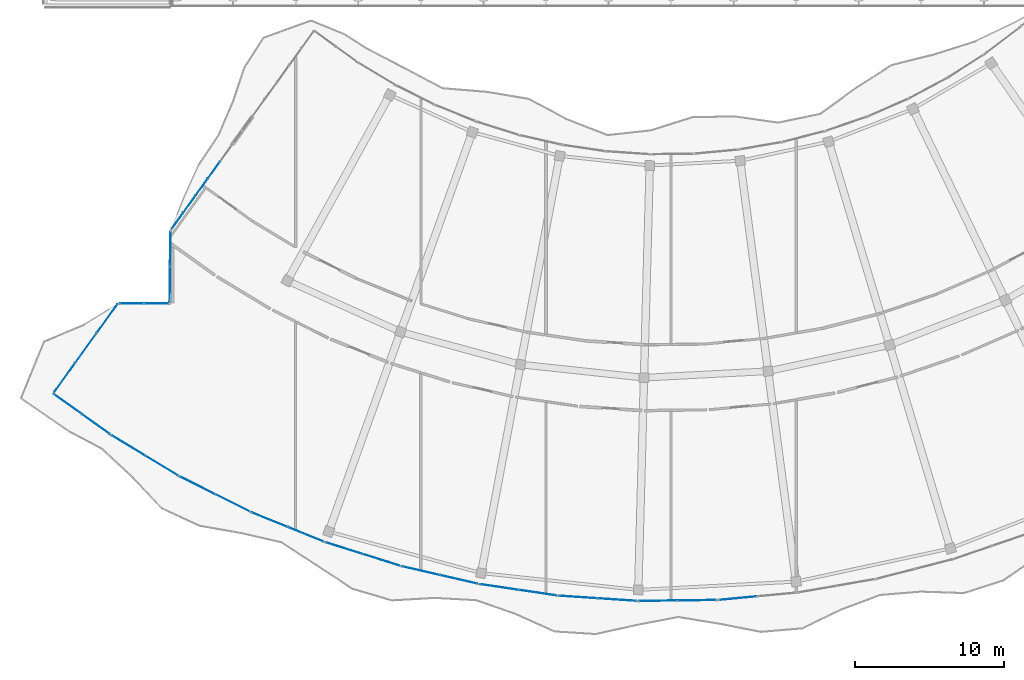
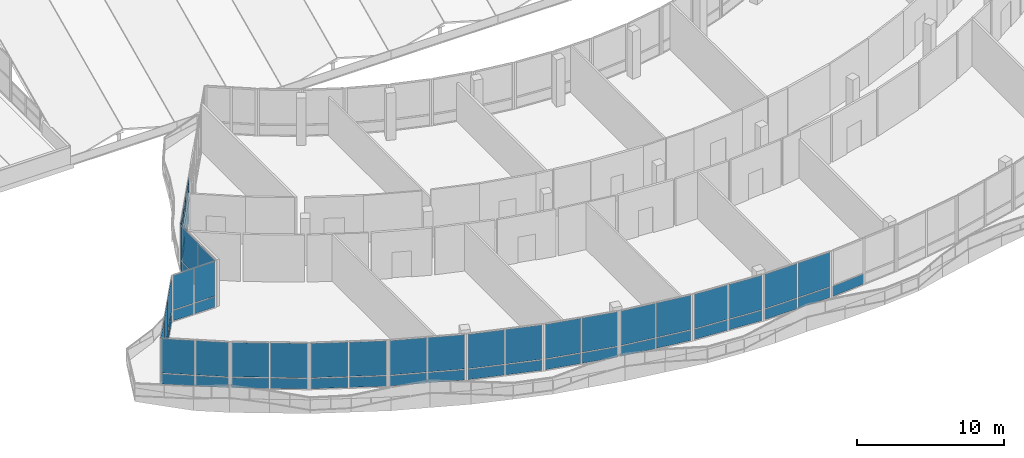
# One storey, part 142 of 184: 63 plates, 14 elements without a shape of their own.
"""IFC4 building model written with IfcOpenShell, lengths in metres."""

from ifc_helpers import new_model, si_unit, direction, frame, origin, origin_2d, place, context, subcontext, project, spatial, rectangle, extrude, material, layer, layer_set, type_object, element, aggregate, save


model = new_model("IFC4")

# Units and contexts
model_context = context("Model", 3, precision=1e-05, world=origin(), true_north=direction((0.0, 1.0)))
body_context = subcontext(model_context, "Body", "Model", "MODEL_VIEW")
ifc_project = project(units=[si_unit("LENGTHUNIT", "METRE"), si_unit("AREAUNIT", "SQUARE_METRE"), si_unit("VOLUMEUNIT", "CUBIC_METRE"), si_unit("PLANEANGLEUNIT", "RADIAN"), si_unit("MASSUNIT", "GRAM", prefix="KILO")], contexts=[model_context])

# Site, building, storey
site_placement = place(None, origin())
site = spatial("IfcSite", under=ifc_project, at=site_placement, CompositionType="ELEMENT")
building_placement = place(site_placement, origin())
building = spatial("IfcBuilding", under=site, at=building_placement, Name="Selatvlak General Hospital", CompositionType="ELEMENT")
storey_placement = place(building_placement, frame((0.0, 0.0, 15.0)))
storey = spatial("IfcBuildingStorey", under=building, at=storey_placement, Name="L03", CompositionType="ELEMENT", Elevation=15.0)

# Curtain wall, plate
ifc_material = material(Name="Solar-control Low-E double glazing", Category="glass")
curtain_wall_type_1 = type_object("IfcCurtainWallType", Name="CW-CW-02", PredefinedType="USERDEFINED", material=ifc_material)
curtain_wall_1_placement = place(storey_placement, origin())
curtain_wall_1 = element("IfcCurtainWall", 1, at=curtain_wall_1_placement, inside=storey, type_object=curtain_wall_type_1, Name="Glazed facade curtain wall CW-L03-0426", ObjectType="UNITISED CURTAIN WALL", PredefinedType="USERDEFINED")
ifc_layer = layer(ifc_material, 0.028076171875, Name="Solar-control Low-E double glazing", Category="glass")
ifc_layer_set = layer_set([ifc_layer], Name="Solar-control Low-E double glazing")
plate_type = type_object("IfcPlateType", Name="CWP-01", PredefinedType="CURTAIN_PANEL", material=ifc_layer_set)
plate_1_placement = place(storey_placement, frame((60.891357421875, 12.217529296875, 0.06494140625), z_axis=(0.0, 0.0, 1.0), x_axis=(-0.995731988381, -0.092291967773, 0.0)))
plate_1 = element("IfcPlate", 2, at=plate_1_placement, type_object=plate_type, Name="CW-02 panel 2.1", PredefinedType="CURTAIN_PANEL", context=body_context, shape_type="SweptSolid", body=[
    extrude(rectangle(XDim=2.54638671875, YDim=0.028076171875, at=origin_2d()), origin(), (0.0, 0.0, 1.0), 0.8525390625),
])
aggregate(curtain_wall_1, [plate_1])

# Curtain wall, plates
curtain_wall_type_2 = type_object("IfcCurtainWallType", Name="CW-CW-01", PredefinedType="USERDEFINED", material=ifc_material)
curtain_wall_2_placement = place(storey_placement, origin())
curtain_wall_2 = element("IfcCurtainWall", 3, at=curtain_wall_2_placement, inside=storey, type_object=curtain_wall_type_2, Name="Glazed facade curtain wall CW-L03-0427", ObjectType="UNITISED CURTAIN WALL", PredefinedType="USERDEFINED")
plate_2_placement = place(storey_placement, frame((58.14111328125, 12.074951171875, 0.06494140625), z_axis=(0.0, 0.0, 1.0), x_axis=(-0.999919712362, -0.012671575694, 0.0)))
plate_2 = element("IfcPlate", 4, at=plate_2_placement, type_object=plate_type, Name="CW-01 panel 1.1", PredefinedType="CURTAIN_PANEL", context=body_context, shape_type="SweptSolid", body=[
    extrude(rectangle(XDim=2.546142578125, YDim=0.028076171875, at=origin_2d()), origin(), (0.0, 0.0, 1.0), 0.8525390625),
])
plate_3_placement = place(storey_placement, frame((58.14111328125, 12.074951171875, 0.982421875), z_axis=(0.0, 0.0, 1.0), x_axis=(-0.999919712362, -0.012671575694, 0.0)))
plate_3 = element("IfcPlate", 5, at=plate_3_placement, type_object=plate_type, Name="CW-01 panel 1.2", PredefinedType="CURTAIN_PANEL", context=body_context, shape_type="SweptSolid", body=[
    extrude(rectangle(XDim=2.546142578125, YDim=0.028076171875, at=origin_2d()), origin(), (0.0, 0.0, 1.0), 2.847412109375),
])
plate_4_placement = place(storey_placement, frame((55.530029296875, 12.0419921875, 0.06494140625), z_axis=(0.0, 0.0, 1.0), x_axis=(-0.999919712362, -0.012671575694, 0.0)))
plate_4 = element("IfcPlate", 6, at=plate_4_placement, type_object=plate_type, Name="CW-01 panel 2.1", PredefinedType="CURTAIN_PANEL", context=body_context, shape_type="SweptSolid", body=[
    extrude(rectangle(XDim=2.546142578125, YDim=0.028076171875, at=origin_2d()), origin(), (0.0, 0.0, 1.0), 0.8525390625),
])
plate_5_placement = place(storey_placement, frame((55.530029296875, 12.0419921875, 0.982421875), z_axis=(0.0, 0.0, 1.0), x_axis=(-0.999919712362, -0.012671575694, 0.0)))
plate_5 = element("IfcPlate", 7, at=plate_5_placement, type_object=plate_type, Name="CW-01 panel 2.2", PredefinedType="CURTAIN_PANEL", context=body_context, shape_type="SweptSolid", body=[
    extrude(rectangle(XDim=2.546142578125, YDim=0.028076171875, at=origin_2d()), origin(), (0.0, 0.0, 1.0), 2.847412109375),
])
aggregate(curtain_wall_2, [plate_2, plate_3, plate_4, plate_5])

curtain_wall_3_placement = place(storey_placement, origin())
curtain_wall_3 = element("IfcCurtainWall", 8, at=curtain_wall_3_placement, inside=storey, type_object=curtain_wall_type_1, Name="Glazed facade curtain wall CW-L03-0428", ObjectType="UNITISED CURTAIN WALL", PredefinedType="USERDEFINED")
plate_6_placement = place(storey_placement, frame((52.77734375, 12.118408203125, 0.06494140625), z_axis=(0.0, 0.0, 1.0), x_axis=(-0.997767543774, 0.066782696801, 0.0)))
plate_6 = element("IfcPlate", 9, at=plate_6_placement, type_object=plate_type, Name="CW-02 panel 1.1", PredefinedType="CURTAIN_PANEL", context=body_context, shape_type="SweptSolid", body=[
    extrude(rectangle(XDim=2.54541015625, YDim=0.028076171875, at=origin_2d()), origin(), (0.0, 0.0, 1.0), 0.8525390625),
])
plate_7_placement = place(storey_placement, frame((52.77734375, 12.118408203125, 0.982421875), z_axis=(0.0, 0.0, 1.0), x_axis=(-0.997767543774, 0.066782696801, 0.0)))
plate_7 = element("IfcPlate", 10, at=plate_7_placement, type_object=plate_type, Name="CW-02 panel 1.2", PredefinedType="CURTAIN_PANEL", context=body_context, shape_type="SweptSolid", body=[
    extrude(rectangle(XDim=2.54541015625, YDim=0.028076171875, at=origin_2d()), origin(), (0.0, 0.0, 1.0), 2.847412109375),
])
plate_8_placement = place(storey_placement, frame((50.172607421875, 12.292724609375, 0.06494140625), z_axis=(0.0, 0.0, 1.0), x_axis=(-0.997767543774, 0.066782696801, 0.0)))
plate_8 = element("IfcPlate", 11, at=plate_8_placement, type_object=plate_type, Name="CW-02 panel 2.1", PredefinedType="CURTAIN_PANEL", context=body_context, shape_type="SweptSolid", body=[
    extrude(rectangle(XDim=2.54541015625, YDim=0.028076171875, at=origin_2d()), origin(), (0.0, 0.0, 1.0), 0.8525390625),
])
plate_9_placement = place(storey_placement, frame((50.172607421875, 12.292724609375, 0.982421875), z_axis=(0.0, 0.0, 1.0), x_axis=(-0.997767543774, 0.066782696801, 0.0)))
plate_9 = element("IfcPlate", 12, at=plate_9_placement, type_object=plate_type, Name="CW-02 panel 2.2", PredefinedType="CURTAIN_PANEL", context=body_context, shape_type="SweptSolid", body=[
    extrude(rectangle(XDim=2.54541015625, YDim=0.028076171875, at=origin_2d()), origin(), (0.0, 0.0, 1.0), 2.847412109375),
])
aggregate(curtain_wall_3, [plate_6, plate_7, plate_8, plate_9])

curtain_wall_4_placement = place(storey_placement, origin())
curtain_wall_4 = element("IfcCurtainWall", 13, at=curtain_wall_4_placement, inside=storey, type_object=curtain_wall_type_2, Name="Glazed facade curtain wall CW-L03-0429", ObjectType="UNITISED CURTAIN WALL", PredefinedType="USERDEFINED")
plate_10_placement = place(storey_placement, frame((47.435302734375, 12.587158203125, 0.06494140625), z_axis=(0.0, 0.0, 1.0), x_axis=(-0.989307819732, 0.145842510319, 0.0)))
plate_10 = element("IfcPlate", 14, at=plate_10_placement, type_object=plate_type, Name="CW-01 panel 1.1", PredefinedType="CURTAIN_PANEL", context=body_context, shape_type="SweptSolid", body=[
    extrude(rectangle(XDim=2.545654296875, YDim=0.028076171875, at=origin_2d()), origin(), (0.0, 0.0, 1.0), 0.8525390625),
])
plate_11_placement = place(storey_placement, frame((47.435302734375, 12.587158203125, 0.982421875), z_axis=(0.0, 0.0, 1.0), x_axis=(-0.989307819732, 0.145842510319, 0.0)))
plate_11 = element("IfcPlate", 15, at=plate_11_placement, type_object=plate_type, Name="CW-01 panel 1.2", PredefinedType="CURTAIN_PANEL", context=body_context, shape_type="SweptSolid", body=[
    extrude(rectangle(XDim=2.545654296875, YDim=0.028076171875, at=origin_2d()), origin(), (0.0, 0.0, 1.0), 2.847412109375),
])
plate_12_placement = place(storey_placement, frame((44.8525390625, 12.9677734375, 0.06494140625), z_axis=(0.0, 0.0, 1.0), x_axis=(-0.989307819732, 0.145842510319, 0.0)))
plate_12 = element("IfcPlate", 16, at=plate_12_placement, type_object=plate_type, Name="CW-01 panel 2.1", PredefinedType="CURTAIN_PANEL", context=body_context, shape_type="SweptSolid", body=[
    extrude(rectangle(XDim=2.545654296875, YDim=0.028076171875, at=origin_2d()), origin(), (0.0, 0.0, 1.0), 0.8525390625),
])
plate_13_placement = place(storey_placement, frame((44.8525390625, 12.9677734375, 0.982421875), z_axis=(0.0, 0.0, 1.0), x_axis=(-0.989307819732, 0.145842510319, 0.0)))
plate_13 = element("IfcPlate", 17, at=plate_13_placement, type_object=plate_type, Name="CW-01 panel 2.2", PredefinedType="CURTAIN_PANEL", context=body_context, shape_type="SweptSolid", body=[
    extrude(rectangle(XDim=2.545654296875, YDim=0.028076171875, at=origin_2d()), origin(), (0.0, 0.0, 1.0), 2.847412109375),
])
aggregate(curtain_wall_4, [plate_10, plate_11, plate_12, plate_13])

curtain_wall_5_placement = place(storey_placement, origin())
curtain_wall_5 = element("IfcCurtainWall", 18, at=curtain_wall_5_placement, inside=storey, type_object=curtain_wall_type_1, Name="Glazed facade curtain wall CW-L03-0430", ObjectType="UNITISED CURTAIN WALL", PredefinedType="USERDEFINED")
plate_14_placement = place(storey_placement, frame((42.146240234375, 13.47900390625, 0.06494140625), z_axis=(0.0, 0.0, 1.0), x_axis=(-0.974553533749, 0.224154879176, 0.0)))
plate_14 = element("IfcPlate", 19, at=plate_14_placement, type_object=plate_type, Name="CW-02 panel 1.1", PredefinedType="CURTAIN_PANEL", context=body_context, shape_type="SweptSolid", body=[
    extrude(rectangle(XDim=2.545654296875, YDim=0.028076171875, at=origin_2d()), origin(), (0.0, 0.0, 1.0), 0.8525390625),
])
plate_15_placement = place(storey_placement, frame((42.146240234375, 13.47900390625, 0.982421875), z_axis=(0.0, 0.0, 1.0), x_axis=(-0.974553533749, 0.224154879176, 0.0)))
plate_15 = element("IfcPlate", 20, at=plate_15_placement, type_object=plate_type, Name="CW-02 panel 1.2", PredefinedType="CURTAIN_PANEL", context=body_context, shape_type="SweptSolid", body=[
    extrude(rectangle(XDim=2.545654296875, YDim=0.028076171875, at=origin_2d()), origin(), (0.0, 0.0, 1.0), 2.847412109375),
])
plate_16_placement = place(storey_placement, frame((39.601806640625, 14.064208984375, 0.06494140625), z_axis=(0.0, 0.0, 1.0), x_axis=(-0.974553533749, 0.224154879176, 0.0)))
plate_16 = element("IfcPlate", 21, at=plate_16_placement, type_object=plate_type, Name="CW-02 panel 2.1", PredefinedType="CURTAIN_PANEL", context=body_context, shape_type="SweptSolid", body=[
    extrude(rectangle(XDim=2.545654296875, YDim=0.028076171875, at=origin_2d()), origin(), (0.0, 0.0, 1.0), 0.8525390625),
])
plate_17_placement = place(storey_placement, frame((39.601806640625, 14.064208984375, 0.982421875), z_axis=(0.0, 0.0, 1.0), x_axis=(-0.974553533749, 0.224154879176, 0.0)))
plate_17 = element("IfcPlate", 22, at=plate_17_placement, type_object=plate_type, Name="CW-02 panel 2.2", PredefinedType="CURTAIN_PANEL", context=body_context, shape_type="SweptSolid", body=[
    extrude(rectangle(XDim=2.545654296875, YDim=0.028076171875, at=origin_2d()), origin(), (0.0, 0.0, 1.0), 2.847412109375),
])
aggregate(curtain_wall_5, [plate_14, plate_15, plate_16, plate_17])

curtain_wall_6_placement = place(storey_placement, origin())
curtain_wall_6 = element("IfcCurtainWall", 23, at=curtain_wall_6_placement, inside=storey, type_object=curtain_wall_type_2, Name="Glazed facade curtain wall CW-L03-0431", ObjectType="UNITISED CURTAIN WALL", PredefinedType="USERDEFINED")
plate_18_placement = place(storey_placement, frame((36.9453125, 14.788818359375, 0.06494140625), z_axis=(0.0, 0.0, 1.0), x_axis=(-0.953794036858, 0.30046120424, 0.0)))
plate_18 = element("IfcPlate", 24, at=plate_18_placement, type_object=plate_type, Name="CW-01 panel 1.1", PredefinedType="CURTAIN_PANEL", context=body_context, shape_type="SweptSolid", body=[
    extrude(rectangle(XDim=2.545166015625, YDim=0.028076171875, at=origin_2d()), origin(), (0.0, 0.0, 1.0), 0.8525390625),
])
plate_19_placement = place(storey_placement, frame((36.9453125, 14.788818359375, 0.982421875), z_axis=(0.0, 0.0, 1.0), x_axis=(-0.953794036858, 0.30046120424, 0.0)))
plate_19 = element("IfcPlate", 25, at=plate_19_placement, type_object=plate_type, Name="CW-01 panel 1.2", PredefinedType="CURTAIN_PANEL", context=body_context, shape_type="SweptSolid", body=[
    extrude(rectangle(XDim=2.545166015625, YDim=0.028076171875, at=origin_2d()), origin(), (0.0, 0.0, 1.0), 2.847412109375),
])
plate_20_placement = place(storey_placement, frame((34.455810546875, 15.572998046875, 0.06494140625), z_axis=(0.0, 0.0, 1.0), x_axis=(-0.953794036858, 0.30046120424, 0.0)))
plate_20 = element("IfcPlate", 26, at=plate_20_placement, type_object=plate_type, Name="CW-01 panel 2.1", PredefinedType="CURTAIN_PANEL", context=body_context, shape_type="SweptSolid", body=[
    extrude(rectangle(XDim=2.545166015625, YDim=0.028076171875, at=origin_2d()), origin(), (0.0, 0.0, 1.0), 0.8525390625),
])
plate_21_placement = place(storey_placement, frame((34.455810546875, 15.572998046875, 0.982421875), z_axis=(0.0, 0.0, 1.0), x_axis=(-0.953794036858, 0.30046120424, 0.0)))
plate_21 = element("IfcPlate", 27, at=plate_21_placement, type_object=plate_type, Name="CW-01 panel 2.2", PredefinedType="CURTAIN_PANEL", context=body_context, shape_type="SweptSolid", body=[
    extrude(rectangle(XDim=2.545166015625, YDim=0.028076171875, at=origin_2d()), origin(), (0.0, 0.0, 1.0), 2.847412109375),
])
aggregate(curtain_wall_6, [plate_18, plate_19, plate_20, plate_21])

curtain_wall_7_placement = place(storey_placement, origin())
curtain_wall_7 = element("IfcCurtainWall", 28, at=curtain_wall_7_placement, inside=storey, type_object=curtain_wall_type_1, Name="Glazed facade curtain wall CW-L03-0432", ObjectType="UNITISED CURTAIN WALL", PredefinedType="USERDEFINED")
plate_22_placement = place(storey_placement, frame((31.865966796875, 16.507080078125, 0.06494140625), z_axis=(0.0, 0.0, 1.0), x_axis=(-0.926902948145, 0.375301112069, 0.0)))
plate_22 = element("IfcPlate", 29, at=plate_22_placement, type_object=plate_type, Name="CW-02 panel 1.1", PredefinedType="CURTAIN_PANEL", context=body_context, shape_type="SweptSolid", body=[
    extrude(rectangle(XDim=2.545654296875, YDim=0.028076171875, at=origin_2d()), origin(), (0.0, 0.0, 1.0), 0.8525390625),
])
plate_23_placement = place(storey_placement, frame((31.865966796875, 16.507080078125, 0.982421875), z_axis=(0.0, 0.0, 1.0), x_axis=(-0.926902948145, 0.375301112069, 0.0)))
plate_23 = element("IfcPlate", 30, at=plate_23_placement, type_object=plate_type, Name="CW-02 panel 1.2", PredefinedType="CURTAIN_PANEL", context=body_context, shape_type="SweptSolid", body=[
    extrude(rectangle(XDim=2.545654296875, YDim=0.028076171875, at=origin_2d()), origin(), (0.0, 0.0, 1.0), 2.847412109375),
])
plate_24_placement = place(storey_placement, frame((29.446044921875, 17.48681640625, 0.06494140625), z_axis=(0.0, 0.0, 1.0), x_axis=(-0.926902948145, 0.375301112069, 0.0)))
plate_24 = element("IfcPlate", 31, at=plate_24_placement, type_object=plate_type, Name="CW-02 panel 2.1", PredefinedType="CURTAIN_PANEL", context=body_context, shape_type="SweptSolid", body=[
    extrude(rectangle(XDim=2.545654296875, YDim=0.028076171875, at=origin_2d()), origin(), (0.0, 0.0, 1.0), 0.8525390625),
])
plate_25_placement = place(storey_placement, frame((29.446044921875, 17.48681640625, 0.982421875), z_axis=(0.0, 0.0, 1.0), x_axis=(-0.926902948145, 0.375301112069, 0.0)))
plate_25 = element("IfcPlate", 32, at=plate_25_placement, type_object=plate_type, Name="CW-02 panel 2.2", PredefinedType="CURTAIN_PANEL", context=body_context, shape_type="SweptSolid", body=[
    extrude(rectangle(XDim=2.545654296875, YDim=0.028076171875, at=origin_2d()), origin(), (0.0, 0.0, 1.0), 2.847412109375),
])
aggregate(curtain_wall_7, [plate_22, plate_23, plate_24, plate_25])

curtain_wall_8_placement = place(storey_placement, origin())
curtain_wall_8 = element("IfcCurtainWall", 33, at=curtain_wall_8_placement, inside=storey, type_object=curtain_wall_type_2, Name="Glazed facade curtain wall CW-L03-0433", ObjectType="UNITISED CURTAIN WALL", PredefinedType="USERDEFINED")
plate_26_placement = place(storey_placement, frame((26.937744140625, 18.622802734375, 0.06494140625), z_axis=(0.0, 0.0, 1.0), x_axis=(-0.894237934345, 0.44759190875, 0.0)))
plate_26 = element("IfcPlate", 34, at=plate_26_placement, type_object=plate_type, Name="CW-01 panel 1.1", PredefinedType="CURTAIN_PANEL", context=body_context, shape_type="SweptSolid", body=[
    extrude(rectangle(XDim=2.545654296875, YDim=0.028076171875, at=origin_2d()), origin(), (0.0, 0.0, 1.0), 0.8525390625),
])
plate_27_placement = place(storey_placement, frame((26.937744140625, 18.622802734375, 0.982421875), z_axis=(0.0, 0.0, 1.0), x_axis=(-0.894237934345, 0.44759190875, 0.0)))
plate_27 = element("IfcPlate", 35, at=plate_27_placement, type_object=plate_type, Name="CW-01 panel 1.2", PredefinedType="CURTAIN_PANEL", context=body_context, shape_type="SweptSolid", body=[
    extrude(rectangle(XDim=2.545654296875, YDim=0.028076171875, at=origin_2d()), origin(), (0.0, 0.0, 1.0), 2.847412109375),
])
plate_28_placement = place(storey_placement, frame((24.603271484375, 19.791259765625, 0.06494140625), z_axis=(0.0, 0.0, 1.0), x_axis=(-0.894237934345, 0.44759190875, 0.0)))
plate_28 = element("IfcPlate", 36, at=plate_28_placement, type_object=plate_type, Name="CW-01 panel 2.1", PredefinedType="CURTAIN_PANEL", context=body_context, shape_type="SweptSolid", body=[
    extrude(rectangle(XDim=2.545654296875, YDim=0.028076171875, at=origin_2d()), origin(), (0.0, 0.0, 1.0), 0.8525390625),
])
plate_29_placement = place(storey_placement, frame((24.603271484375, 19.791259765625, 0.982421875), z_axis=(0.0, 0.0, 1.0), x_axis=(-0.894237934345, 0.44759190875, 0.0)))
plate_29 = element("IfcPlate", 37, at=plate_29_placement, type_object=plate_type, Name="CW-01 panel 2.2", PredefinedType="CURTAIN_PANEL", context=body_context, shape_type="SweptSolid", body=[
    extrude(rectangle(XDim=2.545654296875, YDim=0.028076171875, at=origin_2d()), origin(), (0.0, 0.0, 1.0), 2.847412109375),
])
aggregate(curtain_wall_8, [plate_26, plate_27, plate_28, plate_29])

curtain_wall_9_placement = place(storey_placement, origin())
curtain_wall_9 = element("IfcCurtainWall", 38, at=curtain_wall_9_placement, inside=storey, type_object=curtain_wall_type_1, Name="Glazed facade curtain wall CW-L03-0434", ObjectType="UNITISED CURTAIN WALL", PredefinedType="USERDEFINED")
plate_30_placement = place(storey_placement, frame((22.19287109375, 21.123291015625, 0.06494140625), z_axis=(0.0, 0.0, 1.0), x_axis=(-0.855735878163, 0.517412897815, 0.0)))
plate_30 = element("IfcPlate", 39, at=plate_30_placement, type_object=plate_type, Name="CW-02 panel 1.1", PredefinedType="CURTAIN_PANEL", context=body_context, shape_type="SweptSolid", body=[
    extrude(rectangle(XDim=2.54638671875, YDim=0.028076171875, at=origin_2d()), origin(), (0.0, 0.0, 1.0), 0.8525390625),
])
plate_31_placement = place(storey_placement, frame((22.19287109375, 21.123291015625, 0.982421875), z_axis=(0.0, 0.0, 1.0), x_axis=(-0.855735878163, 0.517412897815, 0.0)))
plate_31 = element("IfcPlate", 40, at=plate_31_placement, type_object=plate_type, Name="CW-02 panel 1.2", PredefinedType="CURTAIN_PANEL", context=body_context, shape_type="SweptSolid", body=[
    extrude(rectangle(XDim=2.54638671875, YDim=0.028076171875, at=origin_2d()), origin(), (0.0, 0.0, 1.0), 2.847412109375),
])
plate_32_placement = place(storey_placement, frame((19.958251953125, 22.474609375, 0.06494140625), z_axis=(0.0, 0.0, 1.0), x_axis=(-0.855735878163, 0.517412897815, 0.0)))
plate_32 = element("IfcPlate", 41, at=plate_32_placement, type_object=plate_type, Name="CW-02 panel 2.1", PredefinedType="CURTAIN_PANEL", context=body_context, shape_type="SweptSolid", body=[
    extrude(rectangle(XDim=2.54638671875, YDim=0.028076171875, at=origin_2d()), origin(), (0.0, 0.0, 1.0), 0.8525390625),
])
plate_33_placement = place(storey_placement, frame((19.958251953125, 22.474609375, 0.982421875), z_axis=(0.0, 0.0, 1.0), x_axis=(-0.855735878163, 0.517412897815, 0.0)))
plate_33 = element("IfcPlate", 42, at=plate_33_placement, type_object=plate_type, Name="CW-02 panel 2.2", PredefinedType="CURTAIN_PANEL", context=body_context, shape_type="SweptSolid", body=[
    extrude(rectangle(XDim=2.54638671875, YDim=0.028076171875, at=origin_2d()), origin(), (0.0, 0.0, 1.0), 2.847412109375),
])
aggregate(curtain_wall_9, [plate_30, plate_31, plate_32, plate_33])

curtain_wall_10_placement = place(storey_placement, origin())
curtain_wall_10 = element("IfcCurtainWall", 43, at=curtain_wall_10_placement, inside=storey, type_object=curtain_wall_type_2, Name="Glazed facade curtain wall CW-L03-0435", ObjectType="UNITISED CURTAIN WALL", PredefinedType="USERDEFINED")
plate_34_placement = place(storey_placement, frame((17.780029296875, 23.90478515625, 0.06494140625), z_axis=(0.0, 0.0, 1.0), x_axis=(-0.813329937847, 0.581802726189, 0.0)))
plate_34 = element("IfcPlate", 44, at=plate_34_placement, type_object=plate_type, Name="CW-01 panel 1.1", PredefinedType="CURTAIN_PANEL", context=body_context, shape_type="SweptSolid", body=[
    extrude(rectangle(XDim=2.247802734375, YDim=0.028076171875, at=origin_2d()), origin(), (0.0, 0.0, 1.0), 0.8525390625),
])
plate_35_placement = place(storey_placement, frame((17.780029296875, 23.90478515625, 0.982421875), z_axis=(0.0, 0.0, 1.0), x_axis=(-0.813329937847, 0.581802726189, 0.0)))
plate_35 = element("IfcPlate", 45, at=plate_35_placement, type_object=plate_type, Name="CW-01 panel 1.2", PredefinedType="CURTAIN_PANEL", context=body_context, shape_type="SweptSolid", body=[
    extrude(rectangle(XDim=2.247802734375, YDim=0.028076171875, at=origin_2d()), origin(), (0.0, 0.0, 1.0), 2.847412109375),
])
plate_36_placement = place(storey_placement, frame((15.89892578125, 25.250244140625, 0.06494140625), z_axis=(0.0, 0.0, 1.0), x_axis=(-0.813329937847, 0.581802726189, 0.0)))
plate_36 = element("IfcPlate", 46, at=plate_36_placement, type_object=plate_type, Name="CW-01 panel 2.1", PredefinedType="CURTAIN_PANEL", context=body_context, shape_type="SweptSolid", body=[
    extrude(rectangle(XDim=2.247802734375, YDim=0.028076171875, at=origin_2d()), origin(), (0.0, 0.0, 1.0), 0.8525390625),
])
plate_37_placement = place(storey_placement, frame((15.89892578125, 25.250244140625, 0.982421875), z_axis=(0.0, 0.0, 1.0), x_axis=(-0.813329937847, 0.581802726189, 0.0)))
plate_37 = element("IfcPlate", 47, at=plate_37_placement, type_object=plate_type, Name="CW-01 panel 2.2", PredefinedType="CURTAIN_PANEL", context=body_context, shape_type="SweptSolid", body=[
    extrude(rectangle(XDim=2.247802734375, YDim=0.028076171875, at=origin_2d()), origin(), (0.0, 0.0, 1.0), 2.847412109375),
])
aggregate(curtain_wall_10, [plate_34, plate_35, plate_36, plate_37])

curtain_wall_11_placement = place(storey_placement, origin())
curtain_wall_11 = element("IfcCurtainWall", 48, at=curtain_wall_11_placement, inside=storey, type_object=curtain_wall_type_1, Name="Glazed facade curtain wall CW-L03-0436", ObjectType="UNITISED CURTAIN WALL", PredefinedType="USERDEFINED")
plate_38_placement = place(storey_placement, frame((15.6845703125, 27.014404296875, 0.06494140625), z_axis=(0.0, 0.0, 1.0), x_axis=(0.583789827411, 0.811904820414, 0.0)))
plate_38 = element("IfcPlate", 49, at=plate_38_placement, type_object=plate_type, Name="CW-02 panel 1.1", PredefinedType="CURTAIN_PANEL", context=body_context, shape_type="SweptSolid", body=[
    extrude(rectangle(XDim=2.35888671875, YDim=0.028076171875, at=origin_2d()), origin(), (0.0, 0.0, 1.0), 0.8525390625),
])
plate_39_placement = place(storey_placement, frame((15.6845703125, 27.014404296875, 0.982421875), z_axis=(0.0, 0.0, 1.0), x_axis=(0.583789827411, 0.811904820414, 0.0)))
plate_39 = element("IfcPlate", 50, at=plate_39_placement, type_object=plate_type, Name="CW-02 panel 1.2", PredefinedType="CURTAIN_PANEL", context=body_context, shape_type="SweptSolid", body=[
    extrude(rectangle(XDim=2.35888671875, YDim=0.028076171875, at=origin_2d()), origin(), (0.0, 0.0, 1.0), 2.847412109375),
])
plate_40_placement = place(storey_placement, frame((17.10888671875, 28.99560546875, 0.06494140625), z_axis=(0.0, 0.0, 1.0), x_axis=(0.583789827411, 0.811904820414, 0.0)))
plate_40 = element("IfcPlate", 51, at=plate_40_placement, type_object=plate_type, Name="CW-02 panel 2.1", PredefinedType="CURTAIN_PANEL", context=body_context, shape_type="SweptSolid", body=[
    extrude(rectangle(XDim=2.391357421875, YDim=0.028076171875, at=origin_2d()), origin(), (0.0, 0.0, 1.0), 0.8525390625),
])
plate_41_placement = place(storey_placement, frame((17.10888671875, 28.99560546875, 0.982421875), z_axis=(0.0, 0.0, 1.0), x_axis=(0.583789827411, 0.811904820414, 0.0)))
plate_41 = element("IfcPlate", 52, at=plate_41_placement, type_object=plate_type, Name="CW-02 panel 2.2", PredefinedType="CURTAIN_PANEL", context=body_context, shape_type="SweptSolid", body=[
    extrude(rectangle(XDim=2.391357421875, YDim=0.028076171875, at=origin_2d()), origin(), (0.0, 0.0, 1.0), 2.847412109375),
])
plate_42_placement = place(storey_placement, frame((18.533447265625, 30.9765625, 0.06494140625), z_axis=(0.0, 0.0, 1.0), x_axis=(0.583789827411, 0.811904820414, 0.0)))
plate_42 = element("IfcPlate", 53, at=plate_42_placement, type_object=plate_type, Name="CW-02 panel 3.1", PredefinedType="CURTAIN_PANEL", context=body_context, shape_type="SweptSolid", body=[
    extrude(rectangle(XDim=2.35888671875, YDim=0.028076171875, at=origin_2d()), origin(), (0.0, 0.0, 1.0), 0.8525390625),
])
plate_43_placement = place(storey_placement, frame((18.533447265625, 30.9765625, 0.982421875), z_axis=(0.0, 0.0, 1.0), x_axis=(0.583789827411, 0.811904820414, 0.0)))
plate_43 = element("IfcPlate", 54, at=plate_43_placement, type_object=plate_type, Name="CW-02 panel 3.2", PredefinedType="CURTAIN_PANEL", context=body_context, shape_type="SweptSolid", body=[
    extrude(rectangle(XDim=2.35888671875, YDim=0.028076171875, at=origin_2d()), origin(), (0.0, 0.0, 1.0), 2.847412109375),
])
aggregate(curtain_wall_11, [plate_38, plate_39, plate_40, plate_41, plate_42, plate_43])

curtain_wall_12_placement = place(storey_placement, origin())
curtain_wall_12 = element("IfcCurtainWall", 55, at=curtain_wall_12_placement, inside=storey, type_object=curtain_wall_type_2, Name="Glazed facade curtain wall CW-L03-0437", ObjectType="UNITISED CURTAIN WALL", PredefinedType="USERDEFINED")
plate_44_placement = place(storey_placement, frame((20.197998046875, 31.999267578125, 0.06494140625), z_axis=(0.0, 0.0, 1.0), x_axis=(0.999999956518, 0.000294898244, 0.0)))
plate_44 = element("IfcPlate", 56, at=plate_44_placement, type_object=plate_type, Name="CW-01 panel 1.1", PredefinedType="CURTAIN_PANEL", context=body_context, shape_type="SweptSolid", body=[
    extrude(rectangle(XDim=1.597900390625, YDim=0.028076171875, at=origin_2d()), origin(), (0.0, 0.0, 1.0), 0.8525390625),
])
plate_45_placement = place(storey_placement, frame((20.197998046875, 31.999267578125, 0.982421875), z_axis=(0.0, 0.0, 1.0), x_axis=(0.999999956518, 0.000294898244, 0.0)))
plate_45 = element("IfcPlate", 57, at=plate_45_placement, type_object=plate_type, Name="CW-01 panel 1.2", PredefinedType="CURTAIN_PANEL", context=body_context, shape_type="SweptSolid", body=[
    extrude(rectangle(XDim=1.597900390625, YDim=0.028076171875, at=origin_2d()), origin(), (0.0, 0.0, 1.0), 2.847412109375),
])
plate_46_placement = place(storey_placement, frame((21.861083984375, 31.999755859375, 0.06494140625), z_axis=(0.0, 0.0, 1.0), x_axis=(0.999999956518, 0.000294898244, 0.0)))
plate_46 = element("IfcPlate", 58, at=plate_46_placement, type_object=plate_type, Name="CW-01 panel 2.1", PredefinedType="CURTAIN_PANEL", context=body_context, shape_type="SweptSolid", body=[
    extrude(rectangle(XDim=1.597900390625, YDim=0.028076171875, at=origin_2d()), origin(), (0.0, 0.0, 1.0), 0.8525390625),
])
plate_47_placement = place(storey_placement, frame((21.861083984375, 31.999755859375, 0.982421875), z_axis=(0.0, 0.0, 1.0), x_axis=(0.999999956518, 0.000294898244, 0.0)))
plate_47 = element("IfcPlate", 59, at=plate_47_placement, type_object=plate_type, Name="CW-01 panel 2.2", PredefinedType="CURTAIN_PANEL", context=body_context, shape_type="SweptSolid", body=[
    extrude(rectangle(XDim=1.597900390625, YDim=0.028076171875, at=origin_2d()), origin(), (0.0, 0.0, 1.0), 2.847412109375),
])
aggregate(curtain_wall_12, [plate_44, plate_45, plate_46, plate_47])

curtain_wall_13_placement = place(storey_placement, origin())
curtain_wall_13 = element("IfcCurtainWall", 60, at=curtain_wall_13_placement, inside=storey, type_object=curtain_wall_type_1, Name="Glazed facade curtain wall CW-L03-0438", ObjectType="UNITISED CURTAIN WALL", PredefinedType="USERDEFINED")
plate_48_placement = place(storey_placement, frame((22.755859375, 33.2880859375, 0.06494140625), z_axis=(0.0, 0.0, 1.0), x_axis=(0.012221999835, 0.999925308571, 0.0)))
plate_48 = element("IfcPlate", 61, at=plate_48_placement, type_object=plate_type, Name="CW-02 panel 1.1", PredefinedType="CURTAIN_PANEL", context=body_context, shape_type="SweptSolid", body=[
    extrude(rectangle(XDim=2.316162109375, YDim=0.028076171875, at=origin_2d()), origin(), (0.0, 0.0, 1.0), 0.8525390625),
])
plate_49_placement = place(storey_placement, frame((22.755859375, 33.2880859375, 0.982421875), z_axis=(0.0, 0.0, 1.0), x_axis=(0.012221999835, 0.999925308571, 0.0)))
plate_49 = element("IfcPlate", 62, at=plate_49_placement, type_object=plate_type, Name="CW-02 panel 1.2", PredefinedType="CURTAIN_PANEL", context=body_context, shape_type="SweptSolid", body=[
    extrude(rectangle(XDim=2.316162109375, YDim=0.028076171875, at=origin_2d()), origin(), (0.0, 0.0, 1.0), 2.847412109375),
])
plate_50_placement = place(storey_placement, frame((22.78515625, 35.6689453125, 0.06494140625), z_axis=(0.0, 0.0, 1.0), x_axis=(0.012221999835, 0.999925308571, 0.0)))
plate_50 = element("IfcPlate", 63, at=plate_50_placement, type_object=plate_type, Name="CW-02 panel 2.1", PredefinedType="CURTAIN_PANEL", context=body_context, shape_type="SweptSolid", body=[
    extrude(rectangle(XDim=2.316162109375, YDim=0.028076171875, at=origin_2d()), origin(), (0.0, 0.0, 1.0), 0.8525390625),
])
plate_51_placement = place(storey_placement, frame((22.78515625, 35.6689453125, 0.982421875), z_axis=(0.0, 0.0, 1.0), x_axis=(0.012221999835, 0.999925308571, 0.0)))
plate_51 = element("IfcPlate", 64, at=plate_51_placement, type_object=plate_type, Name="CW-02 panel 2.2", PredefinedType="CURTAIN_PANEL", context=body_context, shape_type="SweptSolid", body=[
    extrude(rectangle(XDim=2.316162109375, YDim=0.028076171875, at=origin_2d()), origin(), (0.0, 0.0, 1.0), 2.847412109375),
])
aggregate(curtain_wall_13, [plate_48, plate_49, plate_50, plate_51])

curtain_wall_14_placement = place(storey_placement, origin())
curtain_wall_14 = element("IfcCurtainWall", 65, at=curtain_wall_14_placement, inside=storey, type_object=curtain_wall_type_2, Name="Glazed facade curtain wall CW-L03-0440", ObjectType="UNITISED CURTAIN WALL", PredefinedType="USERDEFINED")
plate_52_placement = place(storey_placement, frame((23.257568359375, 37.543212890625, 0.06494140625), z_axis=(0.0, 0.0, 1.0), x_axis=(0.583929474196, 0.81180439095, 0.0)))
plate_52 = element("IfcPlate", 66, at=plate_52_placement, type_object=plate_type, Name="CW-01 panel 1.1", PredefinedType="CURTAIN_PANEL", context=body_context, shape_type="SweptSolid", body=[
    extrude(rectangle(XDim=1.306884765625, YDim=0.028076171875, at=origin_2d()), origin(), (0.0, 0.0, 1.0), 0.802490234375),
])
plate_53_placement = place(storey_placement, frame((23.257568359375, 37.543212890625, 0.9326171875), z_axis=(0.0, 0.0, 1.0), x_axis=(0.583929474196, 0.81180439095, 0.0)))
plate_53 = element("IfcPlate", 67, at=plate_53_placement, type_object=plate_type, Name="CW-01 panel 1.2", PredefinedType="CURTAIN_PANEL", context=body_context, shape_type="SweptSolid", body=[
    extrude(rectangle(XDim=1.306884765625, YDim=0.028076171875, at=origin_2d()), origin(), (0.0, 0.0, 1.0), 2.280029296875),
])
plate_54_placement = place(storey_placement, frame((23.257568359375, 37.543212890625, 3.27734375), z_axis=(0.0, 0.0, 1.0), x_axis=(0.583929474196, 0.81180439095, 0.0)))
plate_54 = element("IfcPlate", 68, at=plate_54_placement, type_object=plate_type, Name="CW-01 panel 1.3", PredefinedType="CURTAIN_PANEL", context=body_context, shape_type="SweptSolid", body=[
    extrude(rectangle(XDim=1.306884765625, YDim=0.028076171875, at=origin_2d()), origin(), (0.0, 0.0, 1.0), 0.552490234375),
])
plate_55_placement = place(storey_placement, frame((24.068115234375, 38.669921875, 0.06494140625), z_axis=(0.0, 0.0, 1.0), x_axis=(0.583929474196, 0.81180439095, 0.0)))
plate_55 = element("IfcPlate", 69, at=plate_55_placement, type_object=plate_type, Name="CW-01 panel 2.1", PredefinedType="CURTAIN_PANEL", context=body_context, shape_type="SweptSolid", body=[
    extrude(rectangle(XDim=1.33935546875, YDim=0.028076171875, at=origin_2d()), origin(), (0.0, 0.0, 1.0), 0.802490234375),
])
plate_56_placement = place(storey_placement, frame((24.068115234375, 38.669921875, 0.9326171875), z_axis=(0.0, 0.0, 1.0), x_axis=(0.583929474196, 0.81180439095, 0.0)))
plate_56 = element("IfcPlate", 70, at=plate_56_placement, type_object=plate_type, Name="CW-01 panel 2.2", PredefinedType="CURTAIN_PANEL", context=body_context, shape_type="SweptSolid", body=[
    extrude(rectangle(XDim=1.33935546875, YDim=0.028076171875, at=origin_2d()), origin(), (0.0, 0.0, 1.0), 2.280029296875),
])
plate_57_placement = place(storey_placement, frame((24.068115234375, 38.669921875, 3.27734375), z_axis=(0.0, 0.0, 1.0), x_axis=(0.583929474196, 0.81180439095, 0.0)))
plate_57 = element("IfcPlate", 71, at=plate_57_placement, type_object=plate_type, Name="CW-01 panel 2.3", PredefinedType="CURTAIN_PANEL", context=body_context, shape_type="SweptSolid", body=[
    extrude(rectangle(XDim=1.33935546875, YDim=0.028076171875, at=origin_2d()), origin(), (0.0, 0.0, 1.0), 0.552490234375),
])
plate_58_placement = place(storey_placement, frame((24.887939453125, 39.81005859375, 0.06494140625), z_axis=(0.0, 0.0, 1.0), x_axis=(0.583929474196, 0.81180439095, 0.0)))
plate_58 = element("IfcPlate", 72, at=plate_58_placement, type_object=plate_type, Name="CW-01 panel 3.1", PredefinedType="CURTAIN_PANEL", context=body_context, shape_type="SweptSolid", body=[
    extrude(rectangle(XDim=1.33935546875, YDim=0.028076171875, at=origin_2d()), origin(), (0.0, 0.0, 1.0), 0.802490234375),
])
plate_59_placement = place(storey_placement, frame((24.887939453125, 39.81005859375, 0.9326171875), z_axis=(0.0, 0.0, 1.0), x_axis=(0.583929474196, 0.81180439095, 0.0)))
plate_59 = element("IfcPlate", 73, at=plate_59_placement, type_object=plate_type, Name="CW-01 panel 3.2", PredefinedType="CURTAIN_PANEL", context=body_context, shape_type="SweptSolid", body=[
    extrude(rectangle(XDim=1.33935546875, YDim=0.028076171875, at=origin_2d()), origin(), (0.0, 0.0, 1.0), 2.280029296875),
])
plate_60_placement = place(storey_placement, frame((24.887939453125, 39.81005859375, 3.27734375), z_axis=(0.0, 0.0, 1.0), x_axis=(0.583929474196, 0.81180439095, 0.0)))
plate_60 = element("IfcPlate", 74, at=plate_60_placement, type_object=plate_type, Name="CW-01 panel 3.3", PredefinedType="CURTAIN_PANEL", context=body_context, shape_type="SweptSolid", body=[
    extrude(rectangle(XDim=1.33935546875, YDim=0.028076171875, at=origin_2d()), origin(), (0.0, 0.0, 1.0), 0.552490234375),
])
plate_61_placement = place(storey_placement, frame((25.7080078125, 40.949951171875, 0.06494140625), z_axis=(0.0, 0.0, 1.0), x_axis=(0.583929474196, 0.81180439095, 0.0)))
plate_61 = element("IfcPlate", 75, at=plate_61_placement, type_object=plate_type, Name="CW-01 panel 4.1", PredefinedType="CURTAIN_PANEL", context=body_context, shape_type="SweptSolid", body=[
    extrude(rectangle(XDim=1.33935546875, YDim=0.028076171875, at=origin_2d()), origin(), (0.0, 0.0, 1.0), 0.802490234375),
])
plate_62_placement = place(storey_placement, frame((25.7080078125, 40.949951171875, 0.9326171875), z_axis=(0.0, 0.0, 1.0), x_axis=(0.583929474196, 0.81180439095, 0.0)))
plate_62 = element("IfcPlate", 76, at=plate_62_placement, type_object=plate_type, Name="CW-01 panel 4.2", PredefinedType="CURTAIN_PANEL", context=body_context, shape_type="SweptSolid", body=[
    extrude(rectangle(XDim=1.33935546875, YDim=0.028076171875, at=origin_2d()), origin(), (0.0, 0.0, 1.0), 2.280029296875),
])
plate_63_placement = place(storey_placement, frame((25.7080078125, 40.949951171875, 3.27734375), z_axis=(0.0, 0.0, 1.0), x_axis=(0.583929474196, 0.81180439095, 0.0)))
plate_63 = element("IfcPlate", 77, at=plate_63_placement, type_object=plate_type, Name="CW-01 panel 4.3", PredefinedType="CURTAIN_PANEL", context=body_context, shape_type="SweptSolid", body=[
    extrude(rectangle(XDim=1.33935546875, YDim=0.028076171875, at=origin_2d()), origin(), (0.0, 0.0, 1.0), 0.552490234375),
])
aggregate(curtain_wall_14, [plate_52, plate_53, plate_54, plate_55, plate_56, plate_57, plate_58, plate_59, plate_60, plate_61, plate_62, plate_63])

save(model, "model.ifc")
